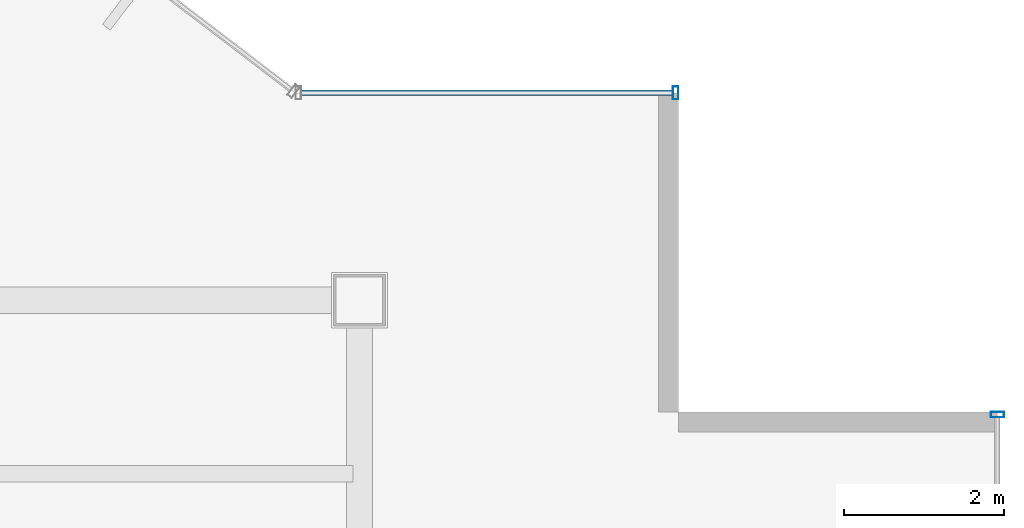
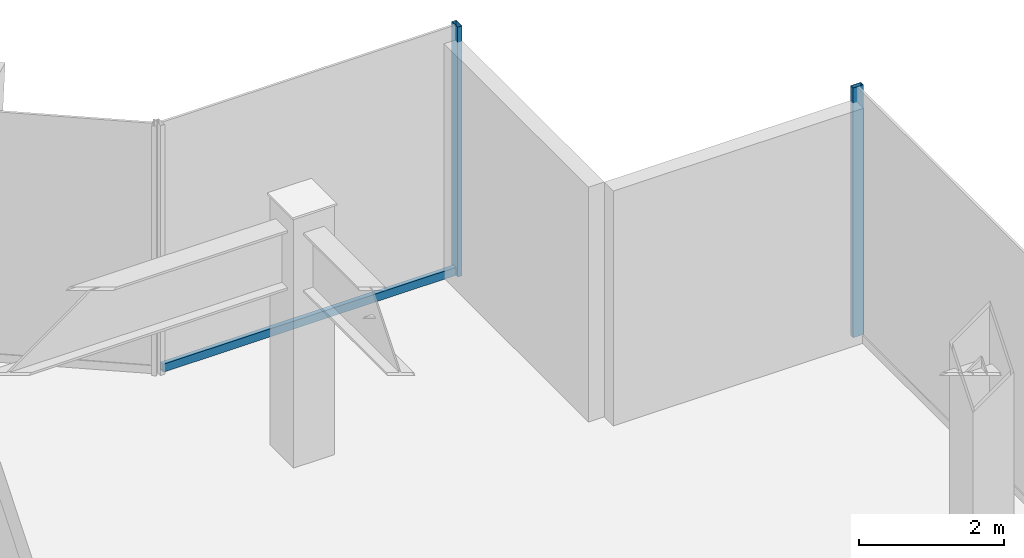
# One storey, part 15 of 26: 3 members, 2 elements without a shape of their own.
"""IFC4 building model written with IfcOpenShell, lengths in metres."""

from ifc_helpers import new_model, si_unit, derived_unit, direction, frame, origin, origin_2d, place, context, subcontext, project, spatial, hollow_rectangle, extrude, source, transform, mapped, material, material_profile, profile_set, type_object, element, aggregate, save


model = new_model("IFC4")

# Units and contexts
model_context = context("Model", 3, precision=1e-05, world=origin(), true_north=direction((0.0, 1.0)))
body_context = subcontext(model_context, "Body", "Model", "MODEL_VIEW")
ifc_project = project(units=[si_unit("LENGTHUNIT", "METRE"), si_unit("AREAUNIT", "SQUARE_METRE"), si_unit("VOLUMEUNIT", "CUBIC_METRE"), si_unit("PLANEANGLEUNIT", "RADIAN"), si_unit("MASSUNIT", "GRAM", prefix="KILO"), derived_unit("THERMALTRANSMITTANCEUNIT", [(si_unit("POWERUNIT", "WATT"), 1), (si_unit("LENGTHUNIT", "METRE"), -2), (si_unit("THERMODYNAMICTEMPERATUREUNIT", "KELVIN"), -1)])], contexts=[model_context])

# Site, building, storey
site_placement = place(None, origin())
site = spatial("IfcSite", under=ifc_project, at=site_placement, CompositionType="ELEMENT")
building_placement = place(site_placement, origin())
building = spatial("IfcBuilding", under=site, at=building_placement, Name="Skarnbrae Concourse Arena and Tower", CompositionType="ELEMENT")
storey_placement = place(building_placement, frame((0.0, 0.0, 184.39990234375)))
storey = spatial("IfcBuildingStorey", under=building, at=storey_placement, Name="L47", CompositionType="ELEMENT", Elevation=184.39990234375)

# Curtain wall, member
ifc_material = material(Name="Bronze anodised aluminium 6063-T6", Category="aluminium")
curtain_wall_type = type_object("IfcCurtainWallType", Name="CW-SYS-06-SKYLOBBY", PredefinedType="USERDEFINED", material=ifc_material)
curtain_wall_1_placement = place(storey_placement, origin())
curtain_wall_1 = element("IfcCurtainWall", 1, at=curtain_wall_1_placement, inside=storey, type_object=curtain_wall_type, Name="L47 Unitised curtain wall CW-L47-E04", ObjectType="UNITISED CURTAIN WALL", PredefinedType="USERDEFINED")
ifc_material_profile_1 = material_profile(ifc_material, hollow_rectangle(XDim=0.070068359375, YDim=0.1650390625, WallThickness=0.00390625, at=origin_2d()), Name="ALU-MULL-70X165")
ifc_profile_set_1 = profile_set([ifc_material_profile_1], Name="Bronze anodised aluminium 6063-T6")
member_type_1 = type_object("IfcMemberType", Name="CWM-CW-06", PredefinedType="MULLION", material=ifc_profile_set_1)
shared_shape_1 = source(origin(), body_context, "Body", "SweptSolid", [
    extrude(hollow_rectangle(XDim=0.070068359375, YDim=0.1650390625, WallThickness=0.00390625, at=origin_2d()), origin(), (0.0, 0.0, 1.0), 4.2001953125),
])
member_1_placement = place(storey_placement, frame((50.0, 32.965087890625, 0.0), z_axis=(0.0, 0.0, 1.0), x_axis=(0.0, 1.0, 0.0)))
member_1 = element("IfcMember", 2, at=member_1_placement, type_object=member_type_1, Name="CW-L47-E04 Mullion 5", PredefinedType="MULLION", context=body_context, shape_type="MappedRepresentation", body=[
    mapped(shared_shape_1, transform((0.0, 0.0, 0.0))),
])
aggregate(curtain_wall_1, [member_1])

# Curtain wall, members
curtain_wall_2_placement = place(storey_placement, origin())
curtain_wall_2 = element("IfcCurtainWall", 3, at=curtain_wall_2_placement, inside=storey, type_object=curtain_wall_type, Name="L47 Unitised curtain wall CW-L47-E07", ObjectType="UNITISED CURTAIN WALL", PredefinedType="USERDEFINED")
member_2_placement = place(storey_placement, frame((45.965087890625, 37.0, 0.0), z_axis=(0.0, 0.0, 1.0), x_axis=(-1.0, 0.0, 0.0)))
member_2 = element("IfcMember", 4, at=member_2_placement, type_object=member_type_1, Name="CW-L47-E07 Mullion 1", PredefinedType="MULLION", context=body_context, shape_type="MappedRepresentation", body=[
    mapped(shared_shape_1, transform((0.0, 0.0, 0.0))),
])
ifc_material_profile_2 = material_profile(ifc_material, hollow_rectangle(XDim=0.070068359375, YDim=0.135009765625, WallThickness=0.00390625, at=origin_2d()), Name="ALU-TRAN-70X135")
ifc_profile_set_2 = profile_set([ifc_material_profile_2], Name="Bronze anodised aluminium 6063-T6")
member_type_2 = type_object("IfcMemberType", Name="CWT-CW-06", PredefinedType="USERDEFINED", material=ifc_profile_set_2)
shared_shape_2 = source(origin(), body_context, "Body", "SweptSolid", [
    extrude(hollow_rectangle(XDim=0.070068359375, YDim=0.135009765625, WallThickness=0.00390625, at=origin_2d()), origin(), (0.0, 0.0, 1.0), 4.659912109375),
])
member_3_placement = place(storey_placement, frame((45.929931640625, 37.0, 0.067626953125), z_axis=(-1.0, 0.0, 0.0), x_axis=(0.0, -1.0, 0.0)))
member_3 = element("IfcMember", 5, at=member_3_placement, type_object=member_type_2, Name="CW-L47-E07 Transom 1", ObjectType="TRANSOM", PredefinedType="USERDEFINED", context=body_context, shape_type="MappedRepresentation", body=[
    mapped(shared_shape_2, transform((0.0, 0.0, 0.0))),
])
aggregate(curtain_wall_2, [member_2, member_3])

save(model, "model.ifc")
